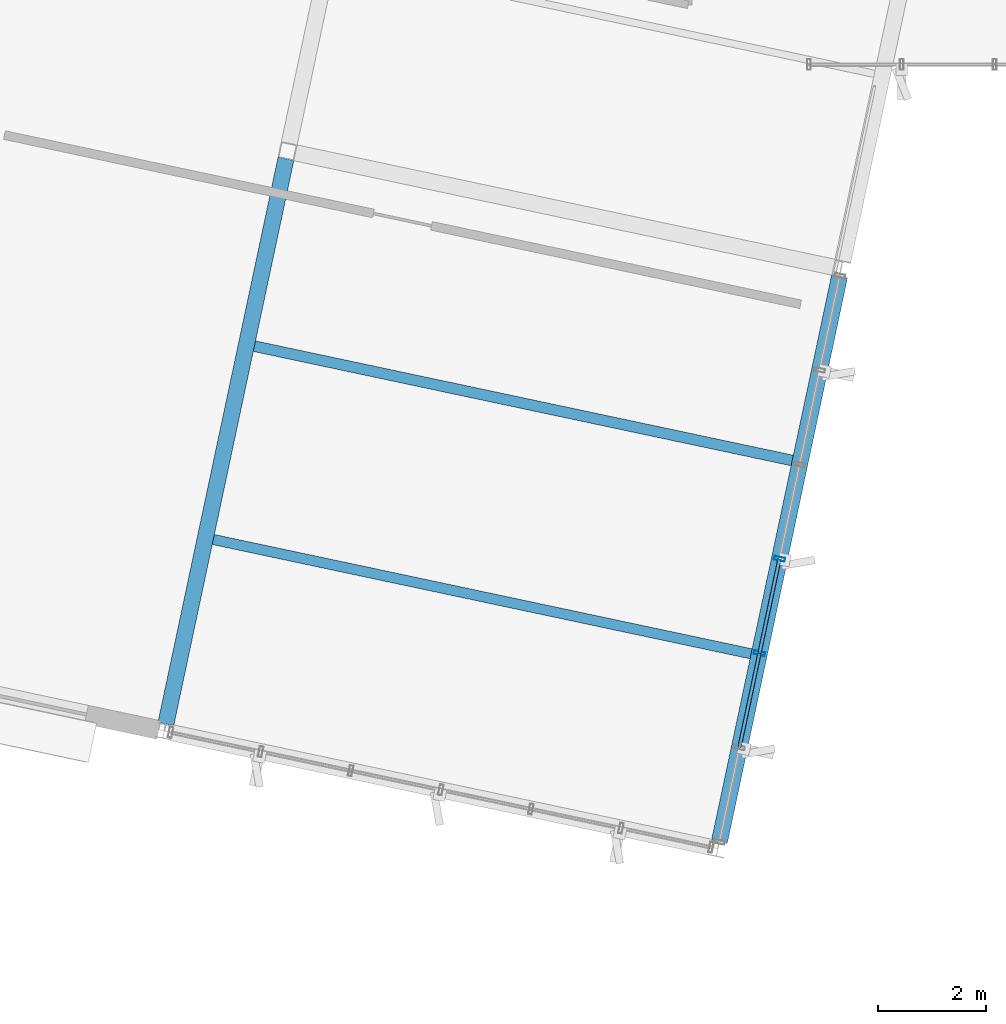
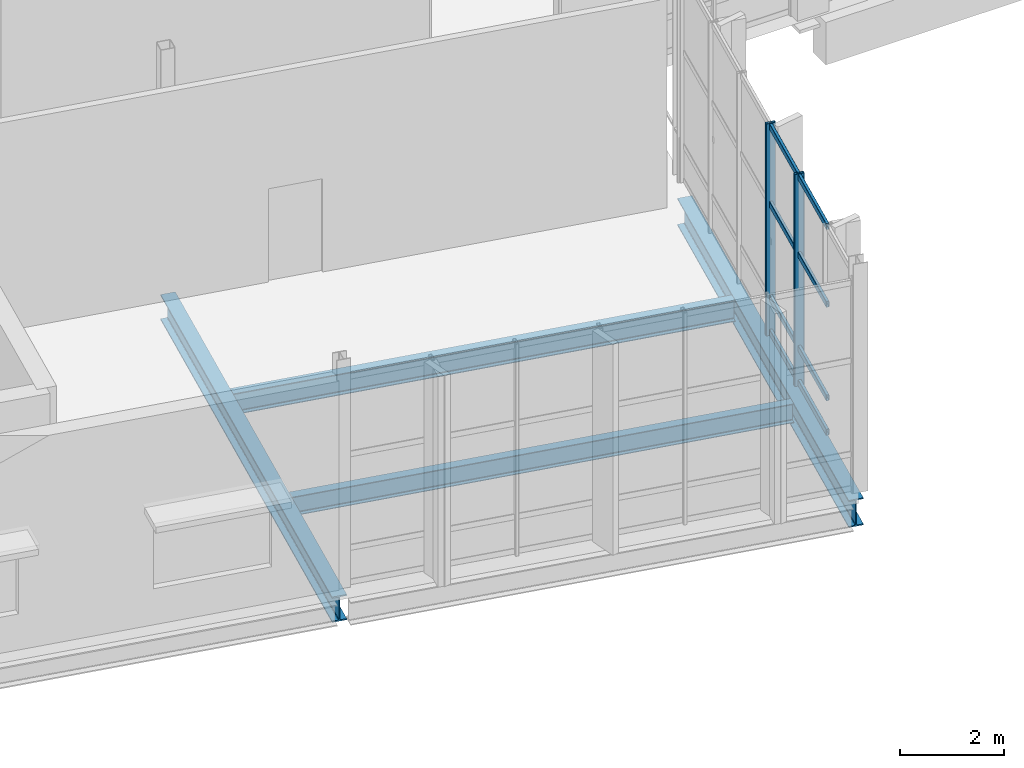
# One storey, part 24 of 176: 10 members, 4 beams, 1 element without a shape of its own.
"""IFC4 building model written with IfcOpenShell, lengths in metres."""

from ifc_helpers import new_model, si_unit, direction, frame, origin, origin_2d, place, context, subcontext, project, spatial, hollow_rectangle, i_section, extrude, material, layer, layer_set, material_profile, profile_set, type_object, element, aggregate, save


model = new_model("IFC4")

# Units and contexts
model_context = context("Model", 3, precision=1e-05, world=origin(), true_north=direction((0.0, 1.0)))
body_context = subcontext(model_context, "Body", "Model", "MODEL_VIEW")
ifc_project = project(units=[si_unit("LENGTHUNIT", "METRE"), si_unit("AREAUNIT", "SQUARE_METRE"), si_unit("VOLUMEUNIT", "CUBIC_METRE"), si_unit("PLANEANGLEUNIT", "RADIAN"), si_unit("MASSUNIT", "GRAM", prefix="KILO")], contexts=[model_context])

# Site, building, storey
site_placement = place(None, origin())
site = spatial("IfcSite", under=ifc_project, at=site_placement, CompositionType="ELEMENT")
building_placement = place(site_placement, origin())
building = spatial("IfcBuilding", under=site, at=building_placement, Name="Khorjan Park Terminus", CompositionType="ELEMENT")
storey_placement = place(building_placement, frame((0.0, 0.0, 6.0)))
storey = spatial("IfcBuildingStorey", under=building, at=storey_placement, Name="L01", CompositionType="ELEMENT", Elevation=6.0)

# Beams
ifc_material_1 = material(Name="Steel S355", Category="steel")
ifc_material_profile_1 = material_profile(ifc_material_1, i_section(OverallWidth=0.3, OverallDepth=0.64, WebThickness=0.0135, FlangeThickness=0.026, FilletRadius=0.027, at=origin_2d()), Name="HEA 650")
ifc_profile_set_1 = profile_set([ifc_material_profile_1], Name="Steel S355")
beam_type_1 = type_object("IfcBeamType", Name="BM-HEA650", PredefinedType="BEAM", material=ifc_profile_set_1)
beam_1_placement = place(storey_placement, frame((24.8418, 35.5926, -0.68), z_axis=(0.207907890532, 0.978148408502, 0.0), x_axis=(-0.978148408502, 0.207907890532, 0.0)))
element("IfcBeam", 1, at=beam_1_placement, inside=storey, type_object=beam_type_1, Name="Primary skew-grid floor girder SB-A65 (L01)", PredefinedType="BEAM", context=body_context, shape_type="SweptSolid", body=[
    extrude(i_section(OverallWidth=0.3, OverallDepth=0.64, WebThickness=0.0135, FlangeThickness=0.026, FilletRadius=0.027, at=origin_2d()), origin(), (0.0, 0.0, 1.0), 10.71),
])
ifc_material_profile_2 = material_profile(ifc_material_1, i_section(OverallWidth=0.3, OverallDepth=0.6, WebThickness=0.0155, FlangeThickness=0.03, FilletRadius=0.027, at=origin_2d()), Name="HEB 600")
ifc_profile_set_2 = profile_set([ifc_material_profile_2], Name="Steel S355")
beam_type_2 = type_object("IfcBeamType", Name="BM-HEB600", PredefinedType="BEAM", material=ifc_profile_set_2)
beam_2_placement = place(storey_placement, frame((14.5692, 37.7659, -0.66), z_axis=(0.207911303582, 0.978147683043, 0.0), x_axis=(-0.978147683043, 0.207911303582, 0.0)))
element("IfcBeam", 2, at=beam_2_placement, inside=storey, type_object=beam_type_2, Name="Primary skew-grid floor girder SB-B60 (L01)", PredefinedType="BEAM", context=body_context, shape_type="SweptSolid", body=[
    extrude(i_section(OverallWidth=0.3, OverallDepth=0.6, WebThickness=0.0155, FlangeThickness=0.03, FilletRadius=0.027, at=origin_2d()), origin(), (0.0, 0.0, 1.0), 10.72),
])
ifc_material_profile_3 = material_profile(ifc_material_1, i_section(OverallWidth=0.19, OverallDepth=0.45, WebThickness=0.0094, FlangeThickness=0.0146, FilletRadius=0.021, at=origin_2d()), Name="IPE 450")
ifc_profile_set_3 = profile_set([ifc_material_profile_3], Name="Steel S355")
beam_type_3 = type_object("IfcBeamType", Name="JS-IPE450", PredefinedType="JOIST", material=ifc_profile_set_3)
beam_3_placement = place(storey_placement, frame((15.4502, 41.1892, -0.585), z_axis=(0.978147562282, -0.207911871719, 0.0), x_axis=(0.207911871719, 0.978147562282, 0.0)))
element("IfcBeam", 3, at=beam_3_placement, inside=storey, type_object=beam_type_3, Name="Secondary composite floor joist SJ-45 (L01)", PredefinedType="JOIST", context=body_context, shape_type="SweptSolid", body=[
    extrude(i_section(OverallWidth=0.19, OverallDepth=0.45, WebThickness=0.0094, FlangeThickness=0.0146, FilletRadius=0.021, at=origin_2d()), origin(), (0.0, 0.0, 1.0), 10.2),
])
ifc_material_profile_4 = material_profile(ifc_material_1, i_section(OverallWidth=0.2, OverallDepth=0.5, WebThickness=0.0102, FlangeThickness=0.016, FilletRadius=0.021, at=origin_2d()), Name="IPE 500")
ifc_profile_set_4 = profile_set([ifc_material_profile_4], Name="Steel S355")
beam_type_4 = type_object("IfcBeamType", Name="JS-IPE500", PredefinedType="JOIST", material=ifc_profile_set_4)
beam_4_placement = place(storey_placement, frame((16.2125, 44.7757, -0.61), z_axis=(0.978147562282, -0.207911871719, 0.0), x_axis=(0.207911871719, 0.978147562282, 0.0)))
element("IfcBeam", 4, at=beam_4_placement, inside=storey, type_object=beam_type_4, Name="Secondary composite floor joist SJ-50 (L01)", PredefinedType="JOIST", context=body_context, shape_type="SweptSolid", body=[
    extrude(i_section(OverallWidth=0.2, OverallDepth=0.5, WebThickness=0.0102, FlangeThickness=0.016, FilletRadius=0.021, at=origin_2d()), origin(), (0.0, 0.0, 1.0), 10.2),
])

# Curtain wall, members
ifc_material_2 = material(Name="Anodized Bronze Aluminium", Category="aluminium")
ifc_layer = layer(ifc_material_2, 0.22)
ifc_layer_set = layer_set([ifc_layer], Name="Anodized Bronze Aluminium")
curtain_wall_type = type_object("IfcCurtainWallType", Name="CW-PAV-C", PredefinedType="NOTDEFINED", material=ifc_layer_set)
curtain_wall_placement = place(storey_placement, origin())
curtain_wall = element("IfcCurtainWall", 5, at=curtain_wall_placement, inside=storey, type_object=curtain_wall_type, Name="Unitized curtain wall CW-C (CW-V4-E-L01-B01)", PredefinedType="NOTDEFINED")
ifc_material_profile_5 = material_profile(ifc_material_2, hollow_rectangle(XDim=0.07, YDim=0.2, WallThickness=0.005, InnerFilletRadius=0.005, OuterFilletRadius=0.01, at=origin_2d()), Name="ALM 70x200x5")
ifc_profile_set_5 = profile_set([ifc_material_profile_5], Name="Anodized Bronze Aluminium")
member_type_1 = type_object("IfcMemberType", Name="ML-ALM-200", PredefinedType="MULLION", material=ifc_profile_set_5)
member_1_placement = place(storey_placement, frame((25.583, 39.0798, -0.035), z_axis=(0.0, 0.0, 1.0), x_axis=(0.207916776669, 0.978146519689, 0.0)))
member_1 = element("IfcMember", 6, at=member_1_placement, type_object=member_type_1, Name="Curtain-wall mullion ML-20 (CW-V4-E-L01-B01-2)", PredefinedType="MULLION", context=body_context, shape_type="SweptSolid", body=[
    extrude(hollow_rectangle(XDim=0.07, YDim=0.2, WallThickness=0.005, InnerFilletRadius=0.005, OuterFilletRadius=0.01, at=origin_2d()), origin(), (0.0, 0.0, 1.0), 5.0),
])
member_2_placement = place(storey_placement, frame((25.9551, 40.8306, -0.035), z_axis=(0.0, 0.0, 1.0), x_axis=(0.207916776669, 0.978146519689, 0.0)))
member_2 = element("IfcMember", 7, at=member_2_placement, type_object=member_type_1, Name="Curtain-wall mullion ML-20 (CW-V4-E-L01-B01-3)", PredefinedType="MULLION", context=body_context, shape_type="SweptSolid", body=[
    extrude(hollow_rectangle(XDim=0.07, YDim=0.2, WallThickness=0.005, InnerFilletRadius=0.005, OuterFilletRadius=0.01, at=origin_2d()), origin(), (0.0, 0.0, 1.0), 5.0),
])
ifc_material_profile_6 = material_profile(ifc_material_2, hollow_rectangle(XDim=0.065, YDim=0.14, WallThickness=0.004, InnerFilletRadius=0.004, OuterFilletRadius=0.008, at=origin_2d()), Name="ALT 65x140x4")
ifc_profile_set_6 = profile_set([ifc_material_profile_6], Name="Anodized Bronze Aluminium")
member_type_2 = type_object("IfcMemberType", Name="TR-ALT-140", PredefinedType="USERDEFINED", material=ifc_profile_set_6)
member_3_placement = place(storey_placement, frame((25.2109, 37.329, 0.04), z_axis=(0.207888156011, 0.978152602915, 0.0), x_axis=(-0.978152602915, 0.207888156011, 0.0)))
member_3 = element("IfcMember", 8, at=member_3_placement, type_object=member_type_2, Name="Curtain-wall transom TR-14 (CW-V4-E-L01-B01-1-1)", ObjectType="TRANSOM", PredefinedType="USERDEFINED", context=body_context, shape_type="SweptSolid", body=[
    extrude(hollow_rectangle(XDim=0.065, YDim=0.14, WallThickness=0.004, InnerFilletRadius=0.004, OuterFilletRadius=0.008, at=origin_2d()), origin(), (0.0, 0.0, 1.0), 1.7899),
])
member_4_placement = place(storey_placement, frame((25.2109, 37.329, 0.85), z_axis=(0.207888156011, 0.978152602915, 0.0), x_axis=(-0.978152602915, 0.207888156011, 0.0)))
member_4 = element("IfcMember", 9, at=member_4_placement, type_object=member_type_2, Name="Curtain-wall transom TR-14 (CW-V4-E-L01-B01-1-2)", ObjectType="TRANSOM", PredefinedType="USERDEFINED", context=body_context, shape_type="SweptSolid", body=[
    extrude(hollow_rectangle(XDim=0.065, YDim=0.14, WallThickness=0.004, InnerFilletRadius=0.004, OuterFilletRadius=0.008, at=origin_2d()), origin(), (0.0, 0.0, 1.0), 1.7899),
])
member_5_placement = place(storey_placement, frame((25.2109, 37.329, 3.0566), z_axis=(0.207888156011, 0.978152602915, 0.0), x_axis=(-0.978152602915, 0.207888156011, 0.0)))
member_5 = element("IfcMember", 10, at=member_5_placement, type_object=member_type_2, Name="Curtain-wall transom TR-14 (CW-V4-E-L01-B01-1-3)", ObjectType="TRANSOM", PredefinedType="USERDEFINED", context=body_context, shape_type="SweptSolid", body=[
    extrude(hollow_rectangle(XDim=0.065, YDim=0.14, WallThickness=0.004, InnerFilletRadius=0.004, OuterFilletRadius=0.008, at=origin_2d()), origin(), (0.0, 0.0, 1.0), 1.7899),
])
member_6_placement = place(storey_placement, frame((25.2109, 37.329, 4.89), z_axis=(0.207888156011, 0.978152602915, 0.0), x_axis=(-0.978152602915, 0.207888156011, 0.0)))
member_6 = element("IfcMember", 11, at=member_6_placement, type_object=member_type_2, Name="Curtain-wall transom TR-14 (CW-V4-E-L01-B01-1-4)", ObjectType="TRANSOM", PredefinedType="USERDEFINED", context=body_context, shape_type="SweptSolid", body=[
    extrude(hollow_rectangle(XDim=0.065, YDim=0.14, WallThickness=0.004, InnerFilletRadius=0.004, OuterFilletRadius=0.008, at=origin_2d()), origin(), (0.0, 0.0, 1.0), 1.7899),
])
member_7_placement = place(storey_placement, frame((25.583, 39.0798, 0.04), z_axis=(0.207888156011, 0.978152602915, 0.0), x_axis=(-0.978152602915, 0.207888156011, 0.0)))
member_7 = element("IfcMember", 12, at=member_7_placement, type_object=member_type_2, Name="Curtain-wall transom TR-14 (CW-V4-E-L01-B01-2-1)", ObjectType="TRANSOM", PredefinedType="USERDEFINED", context=body_context, shape_type="SweptSolid", body=[
    extrude(hollow_rectangle(XDim=0.065, YDim=0.14, WallThickness=0.004, InnerFilletRadius=0.004, OuterFilletRadius=0.008, at=origin_2d()), origin(), (0.0, 0.0, 1.0), 1.7899),
])
member_8_placement = place(storey_placement, frame((25.583, 39.0798, 0.85), z_axis=(0.207888156011, 0.978152602915, 0.0), x_axis=(-0.978152602915, 0.207888156011, 0.0)))
member_8 = element("IfcMember", 13, at=member_8_placement, type_object=member_type_2, Name="Curtain-wall transom TR-14 (CW-V4-E-L01-B01-2-2)", ObjectType="TRANSOM", PredefinedType="USERDEFINED", context=body_context, shape_type="SweptSolid", body=[
    extrude(hollow_rectangle(XDim=0.065, YDim=0.14, WallThickness=0.004, InnerFilletRadius=0.004, OuterFilletRadius=0.008, at=origin_2d()), origin(), (0.0, 0.0, 1.0), 1.7899),
])
member_9_placement = place(storey_placement, frame((25.583, 39.0798, 3.0566), z_axis=(0.207888156011, 0.978152602915, 0.0), x_axis=(-0.978152602915, 0.207888156011, 0.0)))
member_9 = element("IfcMember", 14, at=member_9_placement, type_object=member_type_2, Name="Curtain-wall transom TR-14 (CW-V4-E-L01-B01-2-3)", ObjectType="TRANSOM", PredefinedType="USERDEFINED", context=body_context, shape_type="SweptSolid", body=[
    extrude(hollow_rectangle(XDim=0.065, YDim=0.14, WallThickness=0.004, InnerFilletRadius=0.004, OuterFilletRadius=0.008, at=origin_2d()), origin(), (0.0, 0.0, 1.0), 1.7899),
])
member_10_placement = place(storey_placement, frame((25.583, 39.0798, 4.89), z_axis=(0.207888156011, 0.978152602915, 0.0), x_axis=(-0.978152602915, 0.207888156011, 0.0)))
member_10 = element("IfcMember", 15, at=member_10_placement, type_object=member_type_2, Name="Curtain-wall transom TR-14 (CW-V4-E-L01-B01-2-4)", ObjectType="TRANSOM", PredefinedType="USERDEFINED", context=body_context, shape_type="SweptSolid", body=[
    extrude(hollow_rectangle(XDim=0.065, YDim=0.14, WallThickness=0.004, InnerFilletRadius=0.004, OuterFilletRadius=0.008, at=origin_2d()), origin(), (0.0, 0.0, 1.0), 1.7899),
])
aggregate(curtain_wall, [member_1, member_2, member_3, member_4, member_5, member_6, member_7, member_8, member_9, member_10])

save(model, "model.ifc")
